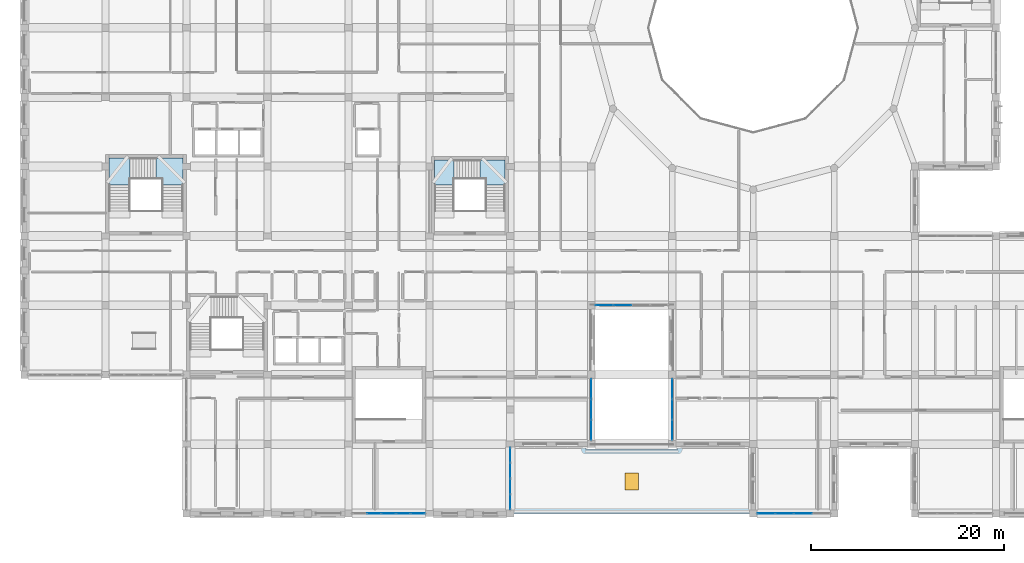
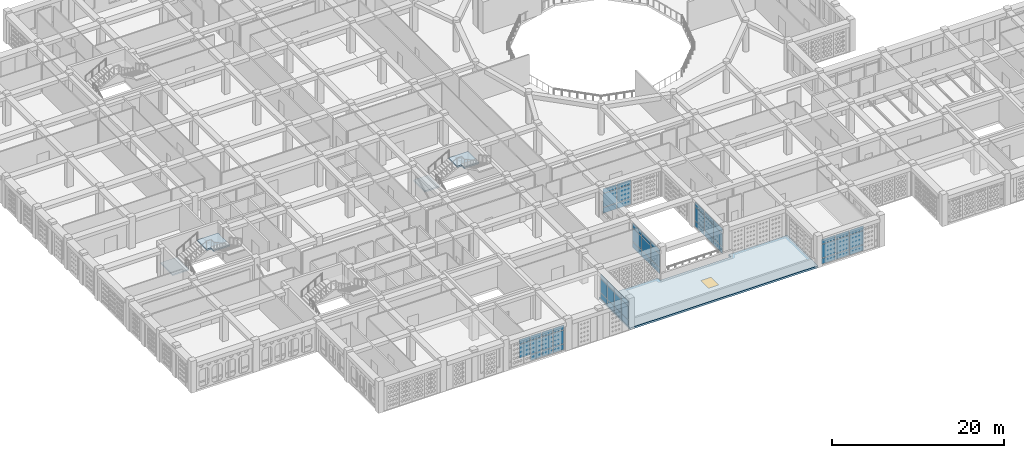
# One storey, part 50 of 111: 56 plates, 5 slabs, 1 window, 1 opening, 8 elements without a shape of their own.
"""IFC4 building model written with IfcOpenShell, lengths in metres."""

from ifc_helpers import new_model, si_unit, derived_unit, direction, frame, origin, origin_2d, place, context, subcontext, project, spatial, polyline, rectangle, outline, extrude, material, layer, layer_set, type_object, element, fill, aggregate, save


model = new_model("IFC4")

# Units and contexts
model_context = context("Model", 3, precision=1e-05, world=origin(), true_north=direction((0.0, 1.0)))
body_context = subcontext(model_context, "Body", "Model", "MODEL_VIEW")
ifc_project = project(units=[si_unit("LENGTHUNIT", "METRE"), si_unit("AREAUNIT", "SQUARE_METRE"), si_unit("VOLUMEUNIT", "CUBIC_METRE"), si_unit("PLANEANGLEUNIT", "RADIAN"), si_unit("MASSUNIT", "GRAM", prefix="KILO"), derived_unit("THERMALTRANSMITTANCEUNIT", [(si_unit("POWERUNIT", "WATT"), 1), (si_unit("LENGTHUNIT", "METRE"), -2), (si_unit("THERMODYNAMICTEMPERATUREUNIT", "KELVIN"), -1)])], contexts=[model_context])

# Site, building, storey
site_placement = place(None, origin())
site = spatial("IfcSite", under=ifc_project, at=site_placement, CompositionType="ELEMENT")
building_placement = place(site_placement, origin())
building = spatial("IfcBuilding", under=site, at=building_placement, Name="Veybourne Emporium", CompositionType="ELEMENT")
storey_placement = place(building_placement, frame((0.0, 0.0, 9.89990234375)))
storey = spatial("IfcBuildingStorey", under=building, at=storey_placement, Name="L02", CompositionType="ELEMENT", Elevation=9.89990234375)

# Curtain wall, plates
ifc_material_1 = material(Name="Patinated Architectural Bronze", Category="bronze")
curtain_wall_type_1 = type_object("IfcCurtainWallType", Name="CWSystem_CWS-11", PredefinedType="NOTDEFINED", material=ifc_material_1)
curtain_wall_1_placement = place(storey_placement, origin())
curtain_wall_1 = element("IfcCurtainWall", 1, at=curtain_wall_1_placement, inside=storey, type_object=curtain_wall_type_1, Name="L02 bronze glazed curtain wall CWS-11 (021)", PredefinedType="NOTDEFINED")
ifc_material_2 = material(Name="Low-E Triple Glazing", Category="glass")
ifc_layer_1 = layer(ifc_material_2, 0.028076171875)
ifc_layer_set_1 = layer_set([ifc_layer_1], Name="Low-E Triple Glazing")
plate_type = type_object("IfcPlateType", Name="CWPanel_CW-P1", PredefinedType="CURTAIN_PANEL", material=ifc_layer_set_1)
plate_1_placement = place(storey_placement, frame((40.79541015625, 0.0, 0.078125), z_axis=(0.0, 0.0, 1.0), x_axis=(-1.0, 0.0, 0.0)))
plate_1 = element("IfcPlate", 2, at=plate_1_placement, type_object=plate_type, Name="CWS-11 panel 1.1", PredefinedType="CURTAIN_PANEL", context=body_context, shape_type="SweptSolid", body=[
    extrude(rectangle(XDim=1.403076171875, YDim=0.028076171875, at=origin_2d()), origin(), (0.0, 0.0, 1.0), 0.782958984375),
])
plate_2_placement = place(storey_placement, frame((40.79541015625, 0.0, 0.93896484375), z_axis=(0.0, 0.0, 1.0), x_axis=(-1.0, 0.0, 0.0)))
plate_2 = element("IfcPlate", 3, at=plate_2_placement, type_object=plate_type, Name="CWS-11 panel 1.2", PredefinedType="CURTAIN_PANEL", context=body_context, shape_type="SweptSolid", body=[
    extrude(rectangle(XDim=1.403076171875, YDim=0.028076171875, at=origin_2d()), origin(), (0.0, 0.0, 1.0), 1.902099609375),
])
plate_3_placement = place(storey_placement, frame((40.79541015625, 0.0, 2.9189453125), z_axis=(0.0, 0.0, 1.0), x_axis=(-1.0, 0.0, 0.0)))
plate_3 = element("IfcPlate", 4, at=plate_3_placement, type_object=plate_type, Name="CWS-11 panel 1.3", PredefinedType="CURTAIN_PANEL", context=body_context, shape_type="SweptSolid", body=[
    extrude(rectangle(XDim=1.403076171875, YDim=0.028076171875, at=origin_2d()), origin(), (0.0, 0.0, 1.0), 0.633056640625),
])
plate_4_placement = place(storey_placement, frame((39.294921875, 0.0, 0.078125), z_axis=(0.0, 0.0, 1.0), x_axis=(-1.0, 0.0, 0.0)))
plate_4 = element("IfcPlate", 5, at=plate_4_placement, type_object=plate_type, Name="CWS-11 panel 2.1", PredefinedType="CURTAIN_PANEL", context=body_context, shape_type="SweptSolid", body=[
    extrude(rectangle(XDim=1.44189453125, YDim=0.028076171875, at=origin_2d()), origin(), (0.0, 0.0, 1.0), 0.782958984375),
])
plate_5_placement = place(storey_placement, frame((39.294921875, 0.0, 0.93896484375), z_axis=(0.0, 0.0, 1.0), x_axis=(-1.0, 0.0, 0.0)))
plate_5 = element("IfcPlate", 6, at=plate_5_placement, type_object=plate_type, Name="CWS-11 panel 2.2", PredefinedType="CURTAIN_PANEL", context=body_context, shape_type="SweptSolid", body=[
    extrude(rectangle(XDim=1.44189453125, YDim=0.028076171875, at=origin_2d()), origin(), (0.0, 0.0, 1.0), 1.902099609375),
])
plate_6_placement = place(storey_placement, frame((39.294921875, 0.0, 2.9189453125), z_axis=(0.0, 0.0, 1.0), x_axis=(-1.0, 0.0, 0.0)))
plate_6 = element("IfcPlate", 7, at=plate_6_placement, type_object=plate_type, Name="CWS-11 panel 2.3", PredefinedType="CURTAIN_PANEL", context=body_context, shape_type="SweptSolid", body=[
    extrude(rectangle(XDim=1.44189453125, YDim=0.028076171875, at=origin_2d()), origin(), (0.0, 0.0, 1.0), 0.633056640625),
])
plate_7_placement = place(storey_placement, frame((37.77490234375, 0.0, 0.078125), z_axis=(0.0, 0.0, 1.0), x_axis=(-1.0, 0.0, 0.0)))
plate_7 = element("IfcPlate", 8, at=plate_7_placement, type_object=plate_type, Name="CWS-11 panel 3.1", PredefinedType="CURTAIN_PANEL", context=body_context, shape_type="SweptSolid", body=[
    extrude(rectangle(XDim=1.44189453125, YDim=0.028076171875, at=origin_2d()), origin(), (0.0, 0.0, 1.0), 0.782958984375),
])
plate_8_placement = place(storey_placement, frame((37.77490234375, 0.0, 0.93896484375), z_axis=(0.0, 0.0, 1.0), x_axis=(-1.0, 0.0, 0.0)))
plate_8 = element("IfcPlate", 9, at=plate_8_placement, type_object=plate_type, Name="CWS-11 panel 3.2", PredefinedType="CURTAIN_PANEL", context=body_context, shape_type="SweptSolid", body=[
    extrude(rectangle(XDim=1.44189453125, YDim=0.028076171875, at=origin_2d()), origin(), (0.0, 0.0, 1.0), 1.902099609375),
])
plate_9_placement = place(storey_placement, frame((37.77490234375, 0.0, 2.9189453125), z_axis=(0.0, 0.0, 1.0), x_axis=(-1.0, 0.0, 0.0)))
plate_9 = element("IfcPlate", 10, at=plate_9_placement, type_object=plate_type, Name="CWS-11 panel 3.3", PredefinedType="CURTAIN_PANEL", context=body_context, shape_type="SweptSolid", body=[
    extrude(rectangle(XDim=1.44189453125, YDim=0.028076171875, at=origin_2d()), origin(), (0.0, 0.0, 1.0), 0.633056640625),
])
plate_10_placement = place(storey_placement, frame((36.2548828125, 0.0, 0.93896484375), z_axis=(0.0, 0.0, 1.0), x_axis=(-1.0, 0.0, 0.0)))
plate_10 = element("IfcPlate", 11, at=plate_10_placement, type_object=plate_type, Name="CWS-11 panel 4.2", PredefinedType="CURTAIN_PANEL", context=body_context, shape_type="SweptSolid", body=[
    extrude(rectangle(XDim=1.44189453125, YDim=0.028076171875, at=origin_2d()), origin(), (0.0, 0.0, 1.0), 1.902099609375),
])
plate_11_placement = place(storey_placement, frame((36.2548828125, 0.0, 2.9189453125), z_axis=(0.0, 0.0, 1.0), x_axis=(-1.0, 0.0, 0.0)))
plate_11 = element("IfcPlate", 12, at=plate_11_placement, type_object=plate_type, Name="CWS-11 panel 4.3", PredefinedType="CURTAIN_PANEL", context=body_context, shape_type="SweptSolid", body=[
    extrude(rectangle(XDim=1.44189453125, YDim=0.028076171875, at=origin_2d()), origin(), (0.0, 0.0, 1.0), 0.633056640625),
])
aggregate(curtain_wall_1, [plate_1, plate_2, plate_3, plate_4, plate_5, plate_6, plate_7, plate_8, plate_9, plate_10, plate_11])

curtain_wall_type_2 = type_object("IfcCurtainWallType", Name="CWSystem_CWS-13", PredefinedType="NOTDEFINED", material=ifc_material_1)
curtain_wall_2_placement = place(storey_placement, origin())
curtain_wall_2 = element("IfcCurtainWall", 13, at=curtain_wall_2_placement, inside=storey, type_object=curtain_wall_type_2, Name="L02 bronze glazed curtain wall CWS-13 (027)", PredefinedType="NOTDEFINED")
plate_12_placement = place(storey_placement, frame((50.39990234375, 6.04443359375, 0.072021484375), z_axis=(0.0, 0.0, 1.0), x_axis=(0.0, -1.0, 0.0)))
plate_12 = element("IfcPlate", 14, at=plate_12_placement, type_object=plate_type, Name="CWS-13 panel 1.1", PredefinedType="CURTAIN_PANEL", context=body_context, shape_type="SweptSolid", body=[
    extrude(rectangle(XDim=1.51708984375, YDim=0.028076171875, at=origin_2d()), origin(), (0.0, 0.0, 1.0), 0.7919921875),
])
plate_13_placement = place(storey_placement, frame((50.39990234375, 6.04443359375, 0.93603515625), z_axis=(0.0, 0.0, 1.0), x_axis=(0.0, -1.0, 0.0)))
plate_13 = element("IfcPlate", 15, at=plate_13_placement, type_object=plate_type, Name="CWS-13 panel 1.2", PredefinedType="CURTAIN_PANEL", context=body_context, shape_type="SweptSolid", body=[
    extrude(rectangle(XDim=1.51708984375, YDim=0.028076171875, at=origin_2d()), origin(), (0.0, 0.0, 1.0), 1.907958984375),
])
plate_14_placement = place(storey_placement, frame((50.39990234375, 6.04443359375, 2.916015625), z_axis=(0.0, 0.0, 1.0), x_axis=(0.0, -1.0, 0.0)))
plate_14 = element("IfcPlate", 16, at=plate_14_placement, type_object=plate_type, Name="CWS-13 panel 1.3", PredefinedType="CURTAIN_PANEL", context=body_context, shape_type="SweptSolid", body=[
    extrude(rectangle(XDim=1.51708984375, YDim=0.028076171875, at=origin_2d()), origin(), (0.0, 0.0, 1.0), 0.64208984375),
])
plate_15_placement = place(storey_placement, frame((50.39990234375, 4.4375, 0.072021484375), z_axis=(0.0, 0.0, 1.0), x_axis=(0.0, -1.0, 0.0)))
plate_15 = element("IfcPlate", 17, at=plate_15_placement, type_object=plate_type, Name="CWS-13 panel 2.1", PredefinedType="CURTAIN_PANEL", context=body_context, shape_type="SweptSolid", body=[
    extrude(rectangle(XDim=1.552978515625, YDim=0.028076171875, at=origin_2d()), origin(), (0.0, 0.0, 1.0), 0.7919921875),
])
plate_16_placement = place(storey_placement, frame((50.39990234375, 4.4375, 0.93603515625), z_axis=(0.0, 0.0, 1.0), x_axis=(0.0, -1.0, 0.0)))
plate_16 = element("IfcPlate", 18, at=plate_16_placement, type_object=plate_type, Name="CWS-13 panel 2.2", PredefinedType="CURTAIN_PANEL", context=body_context, shape_type="SweptSolid", body=[
    extrude(rectangle(XDim=1.552978515625, YDim=0.028076171875, at=origin_2d()), origin(), (0.0, 0.0, 1.0), 1.907958984375),
])
plate_17_placement = place(storey_placement, frame((50.39990234375, 4.4375, 2.916015625), z_axis=(0.0, 0.0, 1.0), x_axis=(0.0, -1.0, 0.0)))
plate_17 = element("IfcPlate", 19, at=plate_17_placement, type_object=plate_type, Name="CWS-13 panel 2.3", PredefinedType="CURTAIN_PANEL", context=body_context, shape_type="SweptSolid", body=[
    extrude(rectangle(XDim=1.552978515625, YDim=0.028076171875, at=origin_2d()), origin(), (0.0, 0.0, 1.0), 0.64208984375),
])
plate_18_placement = place(storey_placement, frame((50.39990234375, 2.8125, 0.072021484375), z_axis=(0.0, 0.0, 1.0), x_axis=(0.0, -1.0, 0.0)))
plate_18 = element("IfcPlate", 20, at=plate_18_placement, type_object=plate_type, Name="CWS-13 panel 3.1", PredefinedType="CURTAIN_PANEL", context=body_context, shape_type="SweptSolid", body=[
    extrude(rectangle(XDim=1.552978515625, YDim=0.028076171875, at=origin_2d()), origin(), (0.0, 0.0, 1.0), 0.7919921875),
])
plate_19_placement = place(storey_placement, frame((50.39990234375, 2.8125, 0.93603515625), z_axis=(0.0, 0.0, 1.0), x_axis=(0.0, -1.0, 0.0)))
plate_19 = element("IfcPlate", 21, at=plate_19_placement, type_object=plate_type, Name="CWS-13 panel 3.2", PredefinedType="CURTAIN_PANEL", context=body_context, shape_type="SweptSolid", body=[
    extrude(rectangle(XDim=1.552978515625, YDim=0.028076171875, at=origin_2d()), origin(), (0.0, 0.0, 1.0), 1.907958984375),
])
plate_20_placement = place(storey_placement, frame((50.39990234375, 2.8125, 2.916015625), z_axis=(0.0, 0.0, 1.0), x_axis=(0.0, -1.0, 0.0)))
plate_20 = element("IfcPlate", 22, at=plate_20_placement, type_object=plate_type, Name="CWS-13 panel 3.3", PredefinedType="CURTAIN_PANEL", context=body_context, shape_type="SweptSolid", body=[
    extrude(rectangle(XDim=1.552978515625, YDim=0.028076171875, at=origin_2d()), origin(), (0.0, 0.0, 1.0), 0.64208984375),
])
plate_21_placement = place(storey_placement, frame((50.39990234375, 1.20556640625, 0.072021484375), z_axis=(0.0, 0.0, 1.0), x_axis=(0.0, -1.0, 0.0)))
plate_21 = element("IfcPlate", 23, at=plate_21_placement, type_object=plate_type, Name="CWS-13 panel 4.1", PredefinedType="CURTAIN_PANEL", context=body_context, shape_type="SweptSolid", body=[
    extrude(rectangle(XDim=1.51708984375, YDim=0.028076171875, at=origin_2d()), origin(), (0.0, 0.0, 1.0), 0.7919921875),
])
plate_22_placement = place(storey_placement, frame((50.39990234375, 1.20556640625, 0.93603515625), z_axis=(0.0, 0.0, 1.0), x_axis=(0.0, -1.0, 0.0)))
plate_22 = element("IfcPlate", 24, at=plate_22_placement, type_object=plate_type, Name="CWS-13 panel 4.2", PredefinedType="CURTAIN_PANEL", context=body_context, shape_type="SweptSolid", body=[
    extrude(rectangle(XDim=1.51708984375, YDim=0.028076171875, at=origin_2d()), origin(), (0.0, 0.0, 1.0), 1.907958984375),
])
plate_23_placement = place(storey_placement, frame((50.39990234375, 1.20556640625, 2.916015625), z_axis=(0.0, 0.0, 1.0), x_axis=(0.0, -1.0, 0.0)))
plate_23 = element("IfcPlate", 25, at=plate_23_placement, type_object=plate_type, Name="CWS-13 panel 4.3", PredefinedType="CURTAIN_PANEL", context=body_context, shape_type="SweptSolid", body=[
    extrude(rectangle(XDim=1.51708984375, YDim=0.028076171875, at=origin_2d()), origin(), (0.0, 0.0, 1.0), 0.64208984375),
])
aggregate(curtain_wall_2, [plate_12, plate_13, plate_14, plate_15, plate_16, plate_17, plate_18, plate_19, plate_20, plate_21, plate_22, plate_23])

curtain_wall_type_3 = type_object("IfcCurtainWallType", Name="CWSystem_CWS-14", PredefinedType="NOTDEFINED", material=ifc_material_1)
curtain_wall_3_placement = place(storey_placement, origin())
curtain_wall_3 = element("IfcCurtainWall", 26, at=curtain_wall_3_placement, inside=storey, type_object=curtain_wall_type_3, Name="L02 bronze glazed curtain wall CWS-14 (030)", PredefinedType="NOTDEFINED")
plate_24_placement = place(storey_placement, frame((58.800048828125, 12.93115234375, 0.074951171875), z_axis=(0.0, 0.0, 1.0), x_axis=(0.0, -1.0, 0.0)))
plate_24 = element("IfcPlate", 27, at=plate_24_placement, type_object=plate_type, Name="CWS-14 panel 1.1", PredefinedType="CURTAIN_PANEL", context=body_context, shape_type="SweptSolid", body=[
    extrude(rectangle(XDim=2.03759765625, YDim=0.028076171875, at=origin_2d()), origin(), (0.0, 0.0, 1.0), 0.78759765625),
])
plate_25_placement = place(storey_placement, frame((58.800048828125, 12.93115234375, 0.9375), z_axis=(0.0, 0.0, 1.0), x_axis=(0.0, -1.0, 0.0)))
plate_25 = element("IfcPlate", 28, at=plate_25_placement, type_object=plate_type, Name="CWS-14 panel 1.2", PredefinedType="CURTAIN_PANEL", context=body_context, shape_type="SweptSolid", body=[
    extrude(rectangle(XDim=2.03759765625, YDim=0.028076171875, at=origin_2d()), origin(), (0.0, 0.0, 1.0), 1.905029296875),
])
plate_26_placement = place(storey_placement, frame((58.800048828125, 12.93115234375, 2.91748046875), z_axis=(0.0, 0.0, 1.0), x_axis=(0.0, -1.0, 0.0)))
plate_26 = element("IfcPlate", 29, at=plate_26_placement, type_object=plate_type, Name="CWS-14 panel 1.3", PredefinedType="CURTAIN_PANEL", context=body_context, shape_type="SweptSolid", body=[
    extrude(rectangle(XDim=2.03759765625, YDim=0.028076171875, at=origin_2d()), origin(), (0.0, 0.0, 1.0), 0.637451171875),
])
plate_27_placement = place(storey_placement, frame((58.800048828125, 10.800048828125, 0.074951171875), z_axis=(0.0, 0.0, 1.0), x_axis=(0.0, -1.0, 0.0)))
plate_27 = element("IfcPlate", 30, at=plate_27_placement, type_object=plate_type, Name="CWS-14 panel 2.1", PredefinedType="CURTAIN_PANEL", context=body_context, shape_type="SweptSolid", body=[
    extrude(rectangle(XDim=2.074951171875, YDim=0.028076171875, at=origin_2d()), origin(), (0.0, 0.0, 1.0), 0.78759765625),
])
plate_28_placement = place(storey_placement, frame((58.800048828125, 10.800048828125, 0.9375), z_axis=(0.0, 0.0, 1.0), x_axis=(0.0, -1.0, 0.0)))
plate_28 = element("IfcPlate", 31, at=plate_28_placement, type_object=plate_type, Name="CWS-14 panel 2.2", PredefinedType="CURTAIN_PANEL", context=body_context, shape_type="SweptSolid", body=[
    extrude(rectangle(XDim=2.074951171875, YDim=0.028076171875, at=origin_2d()), origin(), (0.0, 0.0, 1.0), 1.905029296875),
])
plate_29_placement = place(storey_placement, frame((58.800048828125, 10.800048828125, 2.91748046875), z_axis=(0.0, 0.0, 1.0), x_axis=(0.0, -1.0, 0.0)))
plate_29 = element("IfcPlate", 32, at=plate_29_placement, type_object=plate_type, Name="CWS-14 panel 2.3", PredefinedType="CURTAIN_PANEL", context=body_context, shape_type="SweptSolid", body=[
    extrude(rectangle(XDim=2.074951171875, YDim=0.028076171875, at=origin_2d()), origin(), (0.0, 0.0, 1.0), 0.637451171875),
])
plate_30_placement = place(storey_placement, frame((58.800048828125, 8.668701171875, 0.074951171875), z_axis=(0.0, 0.0, 1.0), x_axis=(0.0, -1.0, 0.0)))
plate_30 = element("IfcPlate", 33, at=plate_30_placement, type_object=plate_type, Name="CWS-14 panel 3.1", PredefinedType="CURTAIN_PANEL", context=body_context, shape_type="SweptSolid", body=[
    extrude(rectangle(XDim=2.03759765625, YDim=0.028076171875, at=origin_2d()), origin(), (0.0, 0.0, 1.0), 0.78759765625),
])
plate_31_placement = place(storey_placement, frame((58.800048828125, 8.668701171875, 0.9375), z_axis=(0.0, 0.0, 1.0), x_axis=(0.0, -1.0, 0.0)))
plate_31 = element("IfcPlate", 34, at=plate_31_placement, type_object=plate_type, Name="CWS-14 panel 3.2", PredefinedType="CURTAIN_PANEL", context=body_context, shape_type="SweptSolid", body=[
    extrude(rectangle(XDim=2.03759765625, YDim=0.028076171875, at=origin_2d()), origin(), (0.0, 0.0, 1.0), 1.905029296875),
])
plate_32_placement = place(storey_placement, frame((58.800048828125, 8.668701171875, 2.91748046875), z_axis=(0.0, 0.0, 1.0), x_axis=(0.0, -1.0, 0.0)))
plate_32 = element("IfcPlate", 35, at=plate_32_placement, type_object=plate_type, Name="CWS-14 panel 3.3", PredefinedType="CURTAIN_PANEL", context=body_context, shape_type="SweptSolid", body=[
    extrude(rectangle(XDim=2.03759765625, YDim=0.028076171875, at=origin_2d()), origin(), (0.0, 0.0, 1.0), 0.637451171875),
])
aggregate(curtain_wall_3, [plate_24, plate_25, plate_26, plate_27, plate_28, plate_29, plate_30, plate_31, plate_32])

curtain_wall_type_4 = type_object("IfcCurtainWallType", Name="CWSystem_CWS-15", PredefinedType="NOTDEFINED", material=ifc_material_1)
curtain_wall_4_placement = place(storey_placement, origin())
curtain_wall_4 = element("IfcCurtainWall", 36, at=curtain_wall_4_placement, inside=storey, type_object=curtain_wall_type_4, Name="L02 bronze glazed curtain wall CWS-15 (033)", PredefinedType="NOTDEFINED")
plate_33_placement = place(storey_placement, frame((62.043701171875, 21.60009765625, 0.078125), z_axis=(0.0, 0.0, 1.0), x_axis=(-1.0, 0.0, 0.0)))
plate_33 = element("IfcPlate", 37, at=plate_33_placement, type_object=plate_type, Name="CWS-15 panel 3.1", PredefinedType="CURTAIN_PANEL", context=body_context, shape_type="SweptSolid", body=[
    extrude(rectangle(XDim=1.83447265625, YDim=0.028076171875, at=origin_2d()), origin(), (0.0, 0.0, 1.0), 0.782958984375),
])
plate_34_placement = place(storey_placement, frame((62.043701171875, 21.60009765625, 0.93896484375), z_axis=(0.0, 0.0, 1.0), x_axis=(-1.0, 0.0, 0.0)))
plate_34 = element("IfcPlate", 38, at=plate_34_placement, type_object=plate_type, Name="CWS-15 panel 3.2", PredefinedType="CURTAIN_PANEL", context=body_context, shape_type="SweptSolid", body=[
    extrude(rectangle(XDim=1.83447265625, YDim=0.028076171875, at=origin_2d()), origin(), (0.0, 0.0, 1.0), 1.902099609375),
])
plate_35_placement = place(storey_placement, frame((62.043701171875, 21.60009765625, 2.9189453125), z_axis=(0.0, 0.0, 1.0), x_axis=(-1.0, 0.0, 0.0)))
plate_35 = element("IfcPlate", 39, at=plate_35_placement, type_object=plate_type, Name="CWS-15 panel 3.3", PredefinedType="CURTAIN_PANEL", context=body_context, shape_type="SweptSolid", body=[
    extrude(rectangle(XDim=1.83447265625, YDim=0.028076171875, at=origin_2d()), origin(), (0.0, 0.0, 1.0), 0.633056640625),
])
plate_36_placement = place(storey_placement, frame((60.150634765625, 21.60009765625, 0.078125), z_axis=(0.0, 0.0, 1.0), x_axis=(-1.0, 0.0, 0.0)))
plate_36 = element("IfcPlate", 40, at=plate_36_placement, type_object=plate_type, Name="CWS-15 panel 4.1", PredefinedType="CURTAIN_PANEL", context=body_context, shape_type="SweptSolid", body=[
    extrude(rectangle(XDim=1.79541015625, YDim=0.028076171875, at=origin_2d()), origin(), (0.0, 0.0, 1.0), 0.782958984375),
])
plate_37_placement = place(storey_placement, frame((60.150634765625, 21.60009765625, 0.93896484375), z_axis=(0.0, 0.0, 1.0), x_axis=(-1.0, 0.0, 0.0)))
plate_37 = element("IfcPlate", 41, at=plate_37_placement, type_object=plate_type, Name="CWS-15 panel 4.2", PredefinedType="CURTAIN_PANEL", context=body_context, shape_type="SweptSolid", body=[
    extrude(rectangle(XDim=1.79541015625, YDim=0.028076171875, at=origin_2d()), origin(), (0.0, 0.0, 1.0), 1.902099609375),
])
plate_38_placement = place(storey_placement, frame((60.150634765625, 21.60009765625, 2.9189453125), z_axis=(0.0, 0.0, 1.0), x_axis=(-1.0, 0.0, 0.0)))
plate_38 = element("IfcPlate", 42, at=plate_38_placement, type_object=plate_type, Name="CWS-15 panel 4.3", PredefinedType="CURTAIN_PANEL", context=body_context, shape_type="SweptSolid", body=[
    extrude(rectangle(XDim=1.79541015625, YDim=0.028076171875, at=origin_2d()), origin(), (0.0, 0.0, 1.0), 0.633056640625),
])
aggregate(curtain_wall_4, [plate_33, plate_34, plate_35, plate_36, plate_37, plate_38])

curtain_wall_type_5 = type_object("IfcCurtainWallType", Name="CWSystem_CWS-16", PredefinedType="NOTDEFINED", material=ifc_material_1)
curtain_wall_5_placement = place(storey_placement, origin())
curtain_wall_5 = element("IfcCurtainWall", 43, at=curtain_wall_5_placement, inside=storey, type_object=curtain_wall_type_5, Name="L02 bronze glazed curtain wall CWS-16 (036)", PredefinedType="NOTDEFINED")
plate_39_placement = place(storey_placement, frame((67.199951171875, 8.66748046875, 0.070068359375), z_axis=(0.0, 0.0, 1.0), x_axis=(0.0, 1.0, 0.0)))
plate_39 = element("IfcPlate", 44, at=plate_39_placement, type_object=plate_type, Name="CWS-16 panel 1.1", PredefinedType="CURTAIN_PANEL", context=body_context, shape_type="SweptSolid", body=[
    extrude(rectangle(XDim=2.044921875, YDim=0.028076171875, at=origin_2d()), origin(), (0.0, 0.0, 1.0), 0.794921875),
])
plate_40_placement = place(storey_placement, frame((67.199951171875, 8.66748046875, 0.93505859375), z_axis=(0.0, 0.0, 1.0), x_axis=(0.0, 1.0, 0.0)))
plate_40 = element("IfcPlate", 45, at=plate_40_placement, type_object=plate_type, Name="CWS-16 panel 1.2", PredefinedType="CURTAIN_PANEL", context=body_context, shape_type="SweptSolid", body=[
    extrude(rectangle(XDim=2.044921875, YDim=0.028076171875, at=origin_2d()), origin(), (0.0, 0.0, 1.0), 1.909912109375),
])
plate_41_placement = place(storey_placement, frame((67.199951171875, 8.66748046875, 2.9150390625), z_axis=(0.0, 0.0, 1.0), x_axis=(0.0, 1.0, 0.0)))
plate_41 = element("IfcPlate", 46, at=plate_41_placement, type_object=plate_type, Name="CWS-16 panel 1.3", PredefinedType="CURTAIN_PANEL", context=body_context, shape_type="SweptSolid", body=[
    extrude(rectangle(XDim=2.044921875, YDim=0.028076171875, at=origin_2d()), origin(), (0.0, 0.0, 1.0), 0.64501953125),
])
plate_42_placement = place(storey_placement, frame((67.199951171875, 10.800048828125, 0.070068359375), z_axis=(0.0, 0.0, 1.0), x_axis=(0.0, 1.0, 0.0)))
plate_42 = element("IfcPlate", 47, at=plate_42_placement, type_object=plate_type, Name="CWS-16 panel 2.1", PredefinedType="CURTAIN_PANEL", context=body_context, shape_type="SweptSolid", body=[
    extrude(rectangle(XDim=2.080078125, YDim=0.028076171875, at=origin_2d()), origin(), (0.0, 0.0, 1.0), 0.794921875),
])
plate_43_placement = place(storey_placement, frame((67.199951171875, 10.800048828125, 0.93505859375), z_axis=(0.0, 0.0, 1.0), x_axis=(0.0, 1.0, 0.0)))
plate_43 = element("IfcPlate", 48, at=plate_43_placement, type_object=plate_type, Name="CWS-16 panel 2.2", PredefinedType="CURTAIN_PANEL", context=body_context, shape_type="SweptSolid", body=[
    extrude(rectangle(XDim=2.080078125, YDim=0.028076171875, at=origin_2d()), origin(), (0.0, 0.0, 1.0), 1.909912109375),
])
plate_44_placement = place(storey_placement, frame((67.199951171875, 10.800048828125, 2.9150390625), z_axis=(0.0, 0.0, 1.0), x_axis=(0.0, 1.0, 0.0)))
plate_44 = element("IfcPlate", 49, at=plate_44_placement, type_object=plate_type, Name="CWS-16 panel 2.3", PredefinedType="CURTAIN_PANEL", context=body_context, shape_type="SweptSolid", body=[
    extrude(rectangle(XDim=2.080078125, YDim=0.028076171875, at=origin_2d()), origin(), (0.0, 0.0, 1.0), 0.64501953125),
])
plate_45_placement = place(storey_placement, frame((67.199951171875, 12.9326171875, 0.070068359375), z_axis=(0.0, 0.0, 1.0), x_axis=(0.0, 1.0, 0.0)))
plate_45 = element("IfcPlate", 50, at=plate_45_placement, type_object=plate_type, Name="CWS-16 panel 3.1", PredefinedType="CURTAIN_PANEL", context=body_context, shape_type="SweptSolid", body=[
    extrude(rectangle(XDim=2.044921875, YDim=0.028076171875, at=origin_2d()), origin(), (0.0, 0.0, 1.0), 0.794921875),
])
plate_46_placement = place(storey_placement, frame((67.199951171875, 12.9326171875, 0.93505859375), z_axis=(0.0, 0.0, 1.0), x_axis=(0.0, 1.0, 0.0)))
plate_46 = element("IfcPlate", 51, at=plate_46_placement, type_object=plate_type, Name="CWS-16 panel 3.2", PredefinedType="CURTAIN_PANEL", context=body_context, shape_type="SweptSolid", body=[
    extrude(rectangle(XDim=2.044921875, YDim=0.028076171875, at=origin_2d()), origin(), (0.0, 0.0, 1.0), 1.909912109375),
])
plate_47_placement = place(storey_placement, frame((67.199951171875, 12.9326171875, 2.9150390625), z_axis=(0.0, 0.0, 1.0), x_axis=(0.0, 1.0, 0.0)))
plate_47 = element("IfcPlate", 52, at=plate_47_placement, type_object=plate_type, Name="CWS-16 panel 3.3", PredefinedType="CURTAIN_PANEL", context=body_context, shape_type="SweptSolid", body=[
    extrude(rectangle(XDim=2.044921875, YDim=0.028076171875, at=origin_2d()), origin(), (0.0, 0.0, 1.0), 0.64501953125),
])
aggregate(curtain_wall_5, [plate_39, plate_40, plate_41, plate_42, plate_43, plate_44, plate_45, plate_46, plate_47])

curtain_wall_type_6 = type_object("IfcCurtainWallType", Name="CWSystem_CWS-17", PredefinedType="NOTDEFINED", material=ifc_material_1)
curtain_wall_6_placement = place(storey_placement, origin())
curtain_wall_6 = element("IfcCurtainWall", 53, at=curtain_wall_6_placement, inside=storey, type_object=curtain_wall_type_6, Name="L02 bronze glazed curtain wall CWS-17 (039)", PredefinedType="NOTDEFINED")
plate_48_placement = place(storey_placement, frame((80.75634765625, 0.0, 0.072021484375), z_axis=(0.0, 0.0, 1.0), x_axis=(-1.0, 0.0, 0.0)))
plate_48 = element("IfcPlate", 54, at=plate_48_placement, type_object=plate_type, Name="CWS-17 panel 2.1", PredefinedType="CURTAIN_PANEL", context=body_context, shape_type="SweptSolid", body=[
    extrude(rectangle(XDim=1.840576171875, YDim=0.028076171875, at=origin_2d()), origin(), (0.0, 0.0, 1.0), 0.7919921875),
])
plate_49_placement = place(storey_placement, frame((80.75634765625, 0.0, 0.93603515625), z_axis=(0.0, 0.0, 1.0), x_axis=(-1.0, 0.0, 0.0)))
plate_49 = element("IfcPlate", 55, at=plate_49_placement, type_object=plate_type, Name="CWS-17 panel 2.2", PredefinedType="CURTAIN_PANEL", context=body_context, shape_type="SweptSolid", body=[
    extrude(rectangle(XDim=1.840576171875, YDim=0.028076171875, at=origin_2d()), origin(), (0.0, 0.0, 1.0), 1.907958984375),
])
plate_50_placement = place(storey_placement, frame((80.75634765625, 0.0, 2.916015625), z_axis=(0.0, 0.0, 1.0), x_axis=(-1.0, 0.0, 0.0)))
plate_50 = element("IfcPlate", 56, at=plate_50_placement, type_object=plate_type, Name="CWS-17 panel 2.3", PredefinedType="CURTAIN_PANEL", context=body_context, shape_type="SweptSolid", body=[
    extrude(rectangle(XDim=1.840576171875, YDim=0.028076171875, at=origin_2d()), origin(), (0.0, 0.0, 1.0), 0.64208984375),
])
plate_51_placement = place(storey_placement, frame((78.84375, 0.0, 0.072021484375), z_axis=(0.0, 0.0, 1.0), x_axis=(-1.0, 0.0, 0.0)))
plate_51 = element("IfcPlate", 57, at=plate_51_placement, type_object=plate_type, Name="CWS-17 panel 3.1", PredefinedType="CURTAIN_PANEL", context=body_context, shape_type="SweptSolid", body=[
    extrude(rectangle(XDim=1.840576171875, YDim=0.028076171875, at=origin_2d()), origin(), (0.0, 0.0, 1.0), 0.7919921875),
])
plate_52_placement = place(storey_placement, frame((78.84375, 0.0, 0.93603515625), z_axis=(0.0, 0.0, 1.0), x_axis=(-1.0, 0.0, 0.0)))
plate_52 = element("IfcPlate", 58, at=plate_52_placement, type_object=plate_type, Name="CWS-17 panel 3.2", PredefinedType="CURTAIN_PANEL", context=body_context, shape_type="SweptSolid", body=[
    extrude(rectangle(XDim=1.840576171875, YDim=0.028076171875, at=origin_2d()), origin(), (0.0, 0.0, 1.0), 1.907958984375),
])
plate_53_placement = place(storey_placement, frame((78.84375, 0.0, 2.916015625), z_axis=(0.0, 0.0, 1.0), x_axis=(-1.0, 0.0, 0.0)))
plate_53 = element("IfcPlate", 59, at=plate_53_placement, type_object=plate_type, Name="CWS-17 panel 3.3", PredefinedType="CURTAIN_PANEL", context=body_context, shape_type="SweptSolid", body=[
    extrude(rectangle(XDim=1.840576171875, YDim=0.028076171875, at=origin_2d()), origin(), (0.0, 0.0, 1.0), 0.64208984375),
])
plate_54_placement = place(storey_placement, frame((76.94921875, 0.0, 0.072021484375), z_axis=(0.0, 0.0, 1.0), x_axis=(-1.0, 0.0, 0.0)))
plate_54 = element("IfcPlate", 60, at=plate_54_placement, type_object=plate_type, Name="CWS-17 panel 4.1", PredefinedType="CURTAIN_PANEL", context=body_context, shape_type="SweptSolid", body=[
    extrude(rectangle(XDim=1.804443359375, YDim=0.028076171875, at=origin_2d()), origin(), (0.0, 0.0, 1.0), 0.7919921875),
])
plate_55_placement = place(storey_placement, frame((76.94921875, 0.0, 0.93603515625), z_axis=(0.0, 0.0, 1.0), x_axis=(-1.0, 0.0, 0.0)))
plate_55 = element("IfcPlate", 61, at=plate_55_placement, type_object=plate_type, Name="CWS-17 panel 4.2", PredefinedType="CURTAIN_PANEL", context=body_context, shape_type="SweptSolid", body=[
    extrude(rectangle(XDim=1.804443359375, YDim=0.028076171875, at=origin_2d()), origin(), (0.0, 0.0, 1.0), 1.907958984375),
])
plate_56_placement = place(storey_placement, frame((76.94921875, 0.0, 2.916015625), z_axis=(0.0, 0.0, 1.0), x_axis=(-1.0, 0.0, 0.0)))
plate_56 = element("IfcPlate", 62, at=plate_56_placement, type_object=plate_type, Name="CWS-17 panel 4.3", PredefinedType="CURTAIN_PANEL", context=body_context, shape_type="SweptSolid", body=[
    extrude(rectangle(XDim=1.804443359375, YDim=0.028076171875, at=origin_2d()), origin(), (0.0, 0.0, 1.0), 0.64208984375),
])
aggregate(curtain_wall_6, [plate_48, plate_49, plate_50, plate_51, plate_52, plate_53, plate_54, plate_55, plate_56])

# Stair, slabs
ifc_material_3 = material(Name="Concrete C32/40", Category="concrete")
stair_type_1 = type_object("IfcStairType", Name="Stair_ST-02-R30", PredefinedType="TWO_QUARTER_TURN_STAIR", material=ifc_material_3)
stair_1_placement = place(storey_placement, origin())
stair_1 = element("IfcStair", 63, at=stair_1_placement, inside=storey, type_object=stair_type_1, Name="L02 stair ST-02", PredefinedType="TWO_QUARTER_TURN_STAIR")
ifc_layer_2 = layer(ifc_material_3, 0.199951171875)
ifc_layer_set_2 = layer_set([ifc_layer_2], Name="Concrete C32/40")
slab_type_1 = type_object("IfcSlabType", Name="Landing_LDG-01", PredefinedType="LANDING", material=ifc_layer_set_2)
slab_1_placement = place(storey_placement, frame((0.0, 0.0, 1.300048828125)))
slab_1 = element("IfcSlab", 64, at=slab_1_placement, type_object=slab_type_1, Name="ST-02-R30 landing 1", PredefinedType="LANDING", context=body_context, shape_type="SweptSolid", body=[
    extrude(outline(polyline([(8.75, 34.10009765625), (10.949951171875, 34.10009765625), (10.949951171875, 36.89990234375), (8.75, 36.89990234375), (8.75, 34.10009765625)])), origin(), (0.0, 0.0, 1.0), 0.199951171875),
])
slab_2_placement = place(storey_placement, frame((0.0, 0.0, 2.800048828125)))
slab_2 = element("IfcSlab", 65, at=slab_2_placement, type_object=slab_type_1, Name="ST-02-R30 landing 2", PredefinedType="LANDING", context=body_context, shape_type="SweptSolid", body=[
    extrude(outline(polyline([(13.64990234375, 34.699951171875), (14.25, 34.699951171875), (14.25, 34.10009765625), (16.449951171875, 34.10009765625), (16.449951171875, 36.89990234375), (13.64990234375, 36.89990234375), (13.64990234375, 34.699951171875)])), origin(), (0.0, 0.0, 1.0), 0.199951171875),
])
aggregate(stair_1, [slab_1, slab_2])

stair_type_2 = type_object("IfcStairType", Name="Stair_ST-05-R30", PredefinedType="TWO_QUARTER_TURN_STAIR", material=ifc_material_3)
stair_2_placement = place(storey_placement, origin())
stair_2 = element("IfcStair", 66, at=stair_2_placement, inside=storey, type_object=stair_type_2, Name="L02 stair ST-05", PredefinedType="TWO_QUARTER_TURN_STAIR")
slab_3_placement = place(storey_placement, frame((0.0, 0.0, 1.300048828125)))
slab_3 = element("IfcSlab", 67, at=slab_3_placement, type_object=slab_type_1, Name="ST-05-R30 landing 1", PredefinedType="LANDING", context=body_context, shape_type="SweptSolid", body=[
    extrude(outline(polyline([(42.550048828125, 34.10009765625), (44.550048828125, 34.10009765625), (44.550048828125, 36.699951171875), (42.550048828125, 36.699951171875), (42.550048828125, 34.10009765625)])), origin(), (0.0, 0.0, 1.0), 0.199951171875),
])
slab_4_placement = place(storey_placement, frame((0.0, 0.0, 2.800048828125)))
slab_4 = element("IfcSlab", 68, at=slab_4_placement, type_object=slab_type_1, Name="ST-05-R30 landing 2", PredefinedType="LANDING", context=body_context, shape_type="SweptSolid", body=[
    extrude(outline(polyline([(47.25, 34.699951171875), (47.85009765625, 34.699951171875), (47.85009765625, 34.10009765625), (49.85009765625, 34.10009765625), (49.85009765625, 36.699951171875), (47.25, 36.699951171875), (47.25, 34.699951171875)])), origin(), (0.0, 0.0, 1.0), 0.199951171875),
])
aggregate(stair_2, [slab_3, slab_4])

# Slab, opening, window
ifc_layer_3 = layer(ifc_material_3, 0.260009765625)
ifc_layer_set_3 = layer_set([ifc_layer_3], Name="Concrete C32/40")
slab_type_2 = type_object("IfcSlabType", Name="Slab_RS-01", PredefinedType="ROOF", material=ifc_layer_set_3)
slab_5_placement = place(storey_placement, frame((0.0, 0.0, -0.260009765625)))
slab_5 = element("IfcSlab", 69, at=slab_5_placement, inside=storey, type_object=slab_type_2, Name="L02 flat roof slab 1", PredefinedType="ROOF", context=body_context, shape_type="SweptSolid", body=[
    extrude(outline(polyline([(75.60009765625, 7.199951171875), (75.60009765625, 0.0), (67.199951171875, 0.0), (58.800048828125, 0.0), (50.39990234375, 0.0), (50.39990234375, 7.199951171875), (58.25, 7.199951171875), (58.25, 6.64990234375), (67.75, 6.64990234375), (67.75, 7.199951171875), (75.60009765625, 7.199951171875)])), origin(), (0.0, 0.0, 1.0), 0.260009765625),
])
opening_placement = place(slab_5_placement, frame((63.0, 3.324951171875, -0.02001953125)))
opening = element("IfcOpeningElement", 70, at=opening_placement, cuts=slab_5, Name="Opening RH-02", PredefinedType="OPENING", context=body_context, shape_type="SweptSolid", body=[
    extrude(rectangle(XDim=1.39990234375, YDim=1.800048828125, at=origin_2d()), origin(), (0.0, 0.0, 1.0), 0.300048828125),
])
ifc_material_4 = material(Name="Solar Control Laminated Glass", Category="glass")
window_type = type_object("IfcWindowType", Name="Hatch_RH-02", PartitioningType="SINGLE_PANEL", PredefinedType="SKYLIGHT", material=ifc_material_4)
window_placement = place(slab_5_placement, frame((63.0, 3.324951171875, 0.2099609375)))
window = element("IfcWindow", 71, at=window_placement, inside=storey, type_object=window_type, Name="L02 roof access skylight hatch RH-02", OverallHeight=1.800048828125, OverallWidth=1.39990234375, PartitioningType="SINGLE_PANEL", PredefinedType="SKYLIGHT", context=body_context, shape_type="SweptSolid", body=[
    extrude(rectangle(XDim=1.39990234375, YDim=1.800048828125, at=origin_2d()), origin(), (0.0, 0.0, 1.0), 0.050048828125),
])
fill(opening, window)

save(model, "model.ifc")
